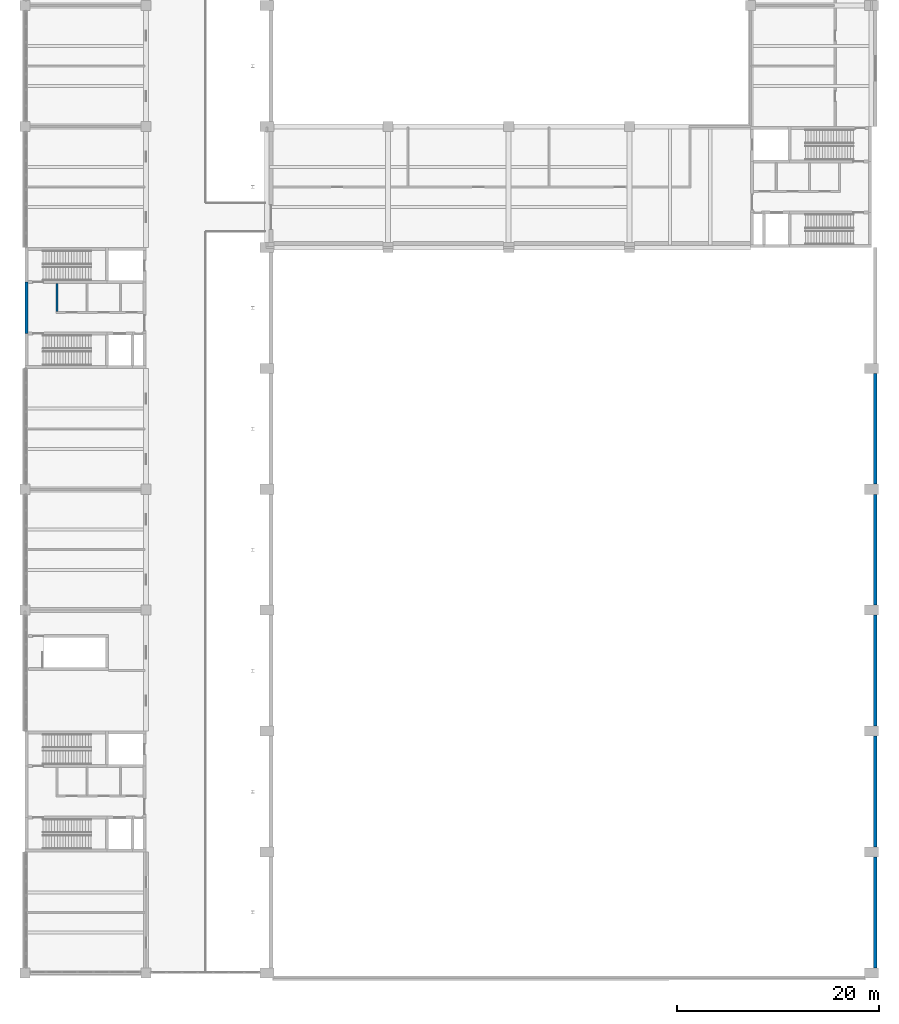
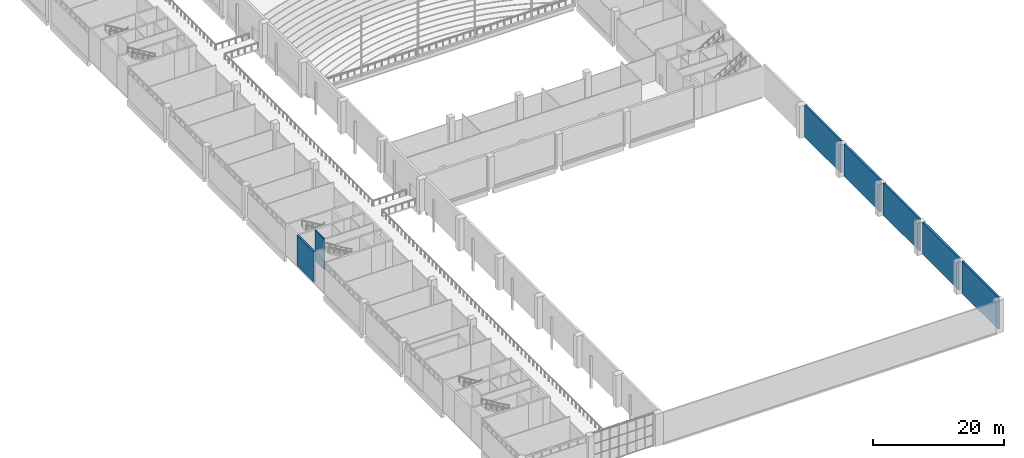
# One storey, part 53 of 72: 7 walls.
"""IFC4 building model written with IfcOpenShell, lengths in metres."""

from ifc_helpers import new_model, si_unit, direction, frame, frame_2d, origin, place, context, subcontext, project, spatial, rectangle, extrude, material, layer, layer_set, type_object, element, save


model = new_model("IFC4")

# Units and contexts
model_context = context("Model", 3, precision=1e-05, world=origin(), true_north=direction((0.0, 1.0)))
body_context = subcontext(model_context, "Body", "Model", "MODEL_VIEW")
ifc_project = project(units=[si_unit("LENGTHUNIT", "METRE"), si_unit("AREAUNIT", "SQUARE_METRE"), si_unit("VOLUMEUNIT", "CUBIC_METRE"), si_unit("PLANEANGLEUNIT", "RADIAN"), si_unit("MASSUNIT", "GRAM", prefix="KILO")], contexts=[model_context])

# Site, building, storey
site_placement = place(None, origin())
site = spatial("IfcSite", under=ifc_project, at=site_placement, CompositionType="ELEMENT")
building_placement = place(site_placement, origin())
building = spatial("IfcBuilding", under=site, at=building_placement, Name="Lilac Gate Convention Centre", CompositionType="ELEMENT")
storey_placement = place(building_placement, frame((0.0, 0.0, 6.0)))
storey = spatial("IfcBuildingStorey", under=building, at=storey_placement, Name="L01", CompositionType="ELEMENT", Elevation=6.0)

# Walls
ifc_material_1 = material(Name="Clay brick masonry", Category="masonry")
ifc_layer_1 = layer(ifc_material_1, 0.199951171875)
ifc_layer_set_1 = layer_set([ifc_layer_1], Name="Clay brick masonry")
wall_type_1 = type_object("IfcWallType", Name="Partition 200 brick EI 60", PredefinedType="PARTITIONING", material=ifc_layer_set_1)
wall_1_placement = place(storey_placement, frame((9.14990234375, 95.64990234375, 0.0), z_axis=(0.0, 0.0, 1.0), x_axis=(0.0, 1.0, 0.0)))
element("IfcWall", 1, at=wall_1_placement, inside=storey, type_object=wall_type_1, Name="Partition 200 brick EI 60", PredefinedType="PARTITIONING", context=body_context, shape_type="SweptSolid", body=[
    extrude(rectangle(XDim=2.75, YDim=0.199951171875, at=frame_2d((1.375, 0.0))), origin(), (0.0, 0.0, 1.0), 5.75),
])
ifc_material_2 = material(Name="Ochre mineral render")
ifc_layer_2 = layer(ifc_material_2, 0.02001953125)
ifc_material_3 = material(Name="Concrete C40 precast", Category="concrete")
ifc_layer_3 = layer(ifc_material_3, 0.06005859375)
ifc_material_4 = material(Name="Ventilated air cavity")
ifc_layer_4 = layer(ifc_material_4, 0.030029296875)
ifc_material_5 = material(Name="Mineral wool insulation")
ifc_layer_5 = layer(ifc_material_5, 0.169921875)
ifc_material_6 = material(Name="Steel stud Q345 and gypsum lining", Category="steel")
ifc_layer_6 = layer(ifc_material_6, 0.070068359375)
ifc_layer_set_2 = layer_set([ifc_layer_2, ifc_layer_3, ifc_layer_4, ifc_layer_5, ifc_layer_6], Name="Ochre mineral render, Concrete C40 precast, Ventilated air cavity, Mineral wool insulation, Steel stud Q345 and gypsum lining")
wall_type_2 = type_object("IfcWallType", Name="Podium precast wall 350", PredefinedType="STANDARD", material=ifc_layer_set_2)
for number, where, z_axis, x_axis, name in (
    (2, (90.375, 30.5, 0.0), (0.0, 0.0, 1.0), (0.0, 1.0, 0.0), "External wall hall east HE L01 1"),
    (3, (90.375, 42.5, 0.0), (0.0, 0.0, 1.0), (0.0, 1.0, 0.0), "External wall hall east HE L01 2"),
    (4, (90.375, 54.5, 0.0), (0.0, 0.0, 1.0), (0.0, 1.0, 0.0), "External wall hall east HE L01 3"),
    (5, (90.375, 66.5, 0.0), (0.0, 0.0, 1.0), (0.0, 1.0, 0.0), "External wall hall east HE L01 4"),
    (6, (90.375, 78.5, 0.0), (0.0, 0.0, 1.0), (0.0, 1.0, 0.0), "External wall hall east HE L01 5"),
):
    element("IfcWall", number, at=place(storey_placement, frame(where, z_axis=z_axis, x_axis=x_axis)), inside=storey, type_object=wall_type_2, Name=name, PredefinedType="STANDARD", context=body_context, shape_type="SweptSolid", body=[
        extrude(rectangle(XDim=11.0, YDim=0.35009765625, at=frame_2d((5.5, 0.0))), origin(), (0.0, 0.0, 1.0), 6.0),
    ])
ifc_material_7 = material(Name="Concrete C40", Category="concrete")
ifc_layer_7 = layer(ifc_material_7, 0.300048828125)
ifc_layer_set_3 = layer_set([ifc_layer_7], Name="Concrete C40")
wall_type_3 = type_object("IfcWallType", Name="Shear wall 300 C40", PredefinedType="SHEAR", material=ifc_layer_set_3)
wall_2_placement = place(storey_placement, frame((6.14990234375, 93.449951171875, 0.0), z_axis=(0.0, 0.0, 1.0), x_axis=(0.0, 1.0, 0.0)))
element("IfcWall", 7, at=wall_2_placement, inside=storey, type_object=wall_type_3, Name="SW1 shear wall W2 L01 12", PredefinedType="SHEAR", context=body_context, shape_type="SweptSolid", body=[
    extrude(rectangle(XDim=5.10009765625, YDim=0.300048828125, at=frame_2d((2.550048828125, 0.0))), origin(), (0.0, 0.0, 1.0), 5.75),
])

save(model, "model.ifc")
